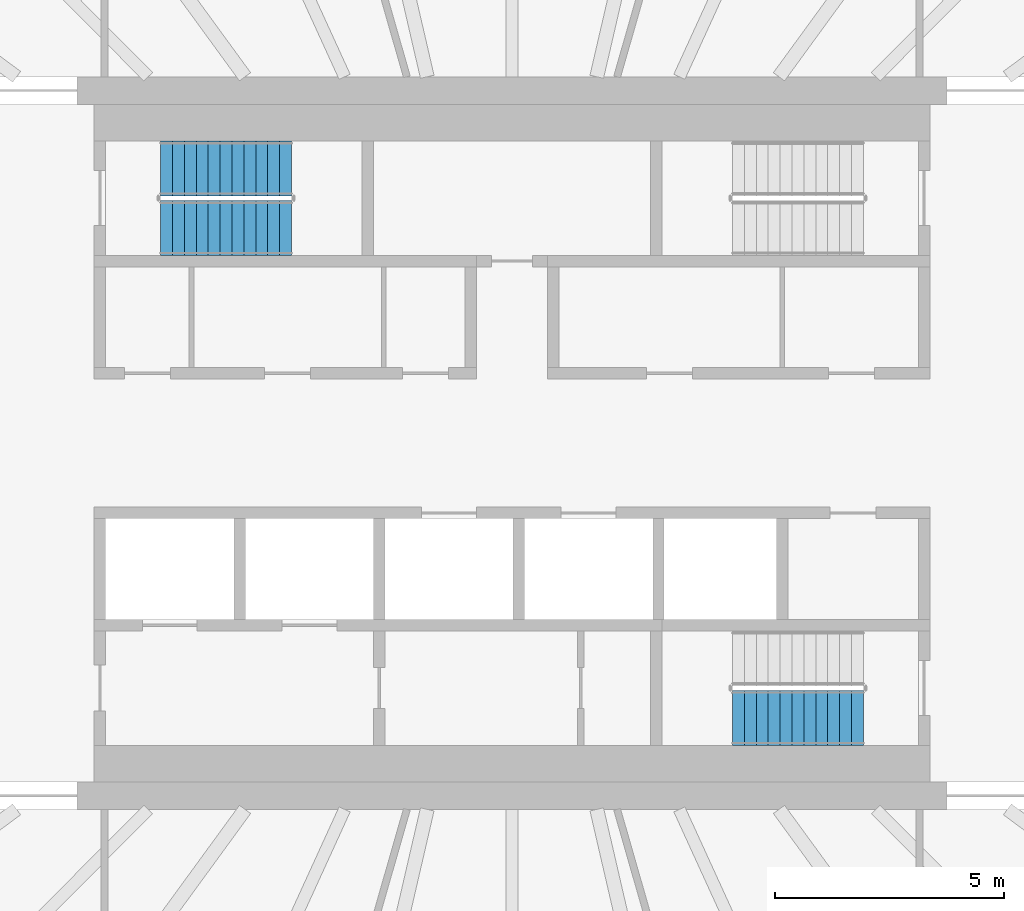
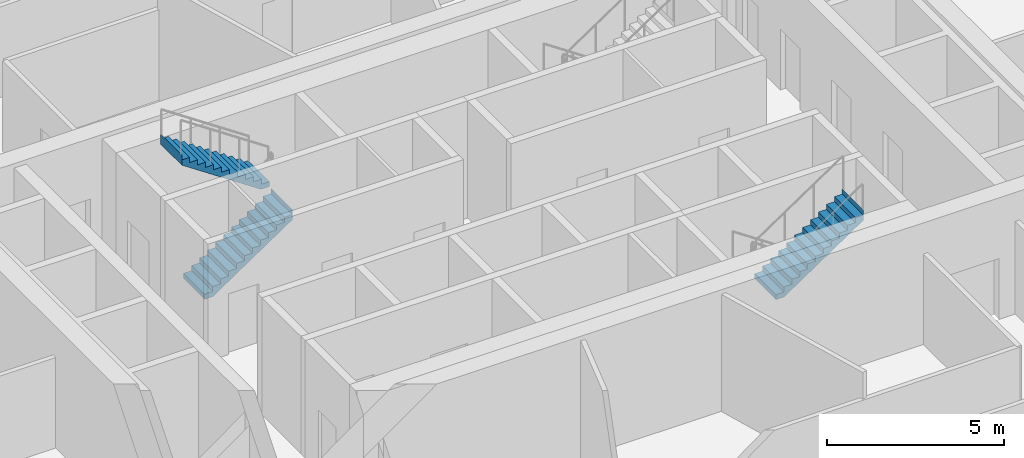
# One storey, part 17 of 24: 3 stair flights, 2 elements without a shape of their own.
"""IFC4 building model written with IfcOpenShell, lengths in metres."""

from ifc_helpers import new_model, si_unit, direction, frame, origin, place, context, subcontext, project, spatial, triangles, material, type_object, element, aggregate, save


model = new_model("IFC4")

# Units and contexts
model_context = context("Model", 3, precision=1e-05, world=origin(), true_north=direction((0.0, 1.0)))
body_context = subcontext(model_context, "Body", "Model", "MODEL_VIEW")
ifc_project = project(units=[si_unit("LENGTHUNIT", "METRE"), si_unit("AREAUNIT", "SQUARE_METRE"), si_unit("VOLUMEUNIT", "CUBIC_METRE"), si_unit("PLANEANGLEUNIT", "RADIAN"), si_unit("MASSUNIT", "GRAM", prefix="KILO")], contexts=[model_context])

# Site, building, storey
site_placement = place(None, origin())
site = spatial("IfcSite", under=ifc_project, at=site_placement, CompositionType="ELEMENT")
building_placement = place(site_placement, origin())
building = spatial("IfcBuilding", under=site, at=building_placement, Name="Sahrelin Media Tower", CompositionType="ELEMENT")
storey_placement = place(building_placement, frame((0.0, 0.0, 58.800048828125)))
storey = spatial("IfcBuildingStorey", under=building, at=storey_placement, Name="L09", CompositionType="ELEMENT", Elevation=58.800048828125)

# Stair, stair flights
ifc_material = material(Name="Concrete C40/50", Category="concrete")
stair_type = type_object("IfcStairType", Name="Exit stair 1200", PredefinedType="HALF_TURN_STAIR", material=ifc_material)
placement = place(storey_placement, origin())
stair_1 = element("IfcStair", 1, at=placement, inside=storey, type_object=stair_type, Name="L09 Exit stair ST1", PredefinedType="HALF_TURN_STAIR")
stair_flight_type = type_object("IfcStairFlightType", Name="Stair flight 1200", PredefinedType="STRAIGHT", material=ifc_material)
stair_flight_1_placement = place(storey_placement, frame((-7.675048828125, 4.699951171875, 0.0), z_axis=(0.0, 0.0, 1.0), x_axis=(1.0, 0.0, 0.0)))
stair_flight_1 = element("IfcStairFlight", 2, at=stair_flight_1_placement, type_object=stair_flight_type, Name="ST1 flight 1", NumberOfRisers=12, NumberOfTreads=11, PredefinedType="STRAIGHT", RiserHeight=0.175, TreadLength=0.26, context=body_context, shape_type="Tessellation", body=[
    triangles([(0.2685546875, 0.60009765625, 0.0), (0.2685546875, 0.300048828125, 0.0), (0.2685546875, 0.0, 0.0), (0.2685546875, -0.300048828125, 0.0), (0.2685546875, -0.60009765625, 0.0), (2.860107421875, 0.60009765625, 1.744384765625), (2.860107421875, 0.300048828125, 1.744384765625), (2.860107421875, 0.0, 1.744384765625), (2.860107421875, -0.300048828125, 1.744384765625), (2.860107421875, -0.60009765625, 1.744384765625), (2.860107421875, 0.60009765625, 2.10009765625), (2.860107421875, 0.300048828125, 2.10009765625), (2.860107421875, 0.0, 2.10009765625), (2.860107421875, -0.300048828125, 2.10009765625), (2.860107421875, -0.60009765625, 2.10009765625), (2.85791015625, 0.60009765625, 2.10009765625), (2.85791015625, 0.300048828125, 2.10009765625), (2.85791015625, 0.0, 2.10009765625), (2.85791015625, -0.300048828125, 2.10009765625), (2.85791015625, -0.60009765625, 2.10009765625), (2.85791015625, 0.60009765625, 1.925048828125), (2.85791015625, 0.300048828125, 1.925048828125), (2.85791015625, 0.0, 1.925048828125), (2.85791015625, -0.300048828125, 1.925048828125), (2.85791015625, -0.60009765625, 1.925048828125), (2.60009765625, 0.60009765625, 1.925048828125), (2.60009765625, 0.300048828125, 1.925048828125), (2.60009765625, 0.0, 1.925048828125), (2.60009765625, -0.300048828125, 1.925048828125), (2.60009765625, -0.60009765625, 1.925048828125), (2.60009765625, 0.60009765625, 1.75), (2.60009765625, 0.300048828125, 1.75), (2.60009765625, 0.0, 1.75), (2.60009765625, -0.300048828125, 1.75), (2.60009765625, -0.60009765625, 1.75), (2.340087890625, 0.60009765625, 1.75), (2.340087890625, 0.300048828125, 1.75), (2.340087890625, 0.0, 1.75), (2.340087890625, -0.300048828125, 1.75), (2.340087890625, -0.60009765625, 1.75), (2.340087890625, 0.60009765625, 1.574951171875), (2.340087890625, 0.300048828125, 1.574951171875), (2.340087890625, 0.0, 1.574951171875), (2.340087890625, -0.300048828125, 1.574951171875), (2.340087890625, -0.60009765625, 1.574951171875), (2.080078125, 0.60009765625, 1.574951171875), (2.080078125, 0.300048828125, 1.574951171875), (2.080078125, 0.0, 1.574951171875), (2.080078125, -0.300048828125, 1.574951171875), (2.080078125, -0.60009765625, 1.574951171875), (2.080078125, 0.60009765625, 1.39990234375), (2.080078125, 0.300048828125, 1.39990234375), (2.080078125, 0.0, 1.39990234375), (2.080078125, -0.300048828125, 1.39990234375), (2.080078125, -0.60009765625, 1.39990234375), (1.820068359375, 0.60009765625, 1.39990234375), (1.820068359375, 0.300048828125, 1.39990234375), (1.820068359375, 0.0, 1.39990234375), (1.820068359375, -0.300048828125, 1.39990234375), (1.820068359375, -0.60009765625, 1.39990234375), (1.820068359375, 0.60009765625, 1.22509765625), (1.820068359375, 0.300048828125, 1.22509765625), (1.820068359375, 0.0, 1.22509765625), (1.820068359375, -0.300048828125, 1.22509765625), (1.820068359375, -0.60009765625, 1.22509765625), (1.56005859375, 0.60009765625, 1.22509765625), (1.56005859375, 0.300048828125, 1.22509765625), (1.56005859375, 0.0, 1.22509765625), (1.56005859375, -0.300048828125, 1.22509765625), (1.56005859375, -0.60009765625, 1.22509765625), (1.56005859375, 0.60009765625, 1.050048828125), (1.56005859375, 0.300048828125, 1.050048828125), (1.56005859375, 0.0, 1.050048828125), (1.56005859375, -0.300048828125, 1.050048828125), (1.56005859375, -0.60009765625, 1.050048828125), (1.300048828125, 0.60009765625, 1.050048828125), (1.300048828125, 0.300048828125, 1.050048828125), (1.300048828125, 0.0, 1.050048828125), (1.300048828125, -0.300048828125, 1.050048828125), (1.300048828125, -0.60009765625, 1.050048828125), (1.300048828125, 0.60009765625, 0.875), (1.300048828125, 0.300048828125, 0.875), (1.300048828125, 0.0, 0.875), (1.300048828125, -0.300048828125, 0.875), (1.300048828125, -0.60009765625, 0.875), (1.0400390625, 0.60009765625, 0.875), (1.0400390625, 0.300048828125, 0.875), (1.0400390625, 0.0, 0.875), (1.0400390625, -0.300048828125, 0.875), (1.0400390625, -0.60009765625, 0.875), (1.0400390625, 0.60009765625, 0.699951171875), (1.0400390625, 0.300048828125, 0.699951171875), (1.0400390625, 0.0, 0.699951171875), (1.0400390625, -0.300048828125, 0.699951171875), (1.0400390625, -0.60009765625, 0.699951171875), (0.780029296875, 0.60009765625, 0.699951171875), (0.780029296875, 0.300048828125, 0.699951171875), (0.780029296875, 0.0, 0.699951171875), (0.780029296875, -0.300048828125, 0.699951171875), (0.780029296875, -0.60009765625, 0.699951171875), (0.780029296875, 0.60009765625, 0.52490234375), (0.780029296875, 0.300048828125, 0.52490234375), (0.780029296875, 0.0, 0.52490234375), (0.780029296875, -0.300048828125, 0.52490234375), (0.780029296875, -0.60009765625, 0.52490234375), (0.52001953125, 0.60009765625, 0.52490234375), (0.52001953125, 0.300048828125, 0.52490234375), (0.52001953125, 0.0, 0.52490234375), (0.52001953125, -0.300048828125, 0.52490234375), (0.52001953125, -0.60009765625, 0.52490234375), (0.52001953125, 0.60009765625, 0.35009765625), (0.52001953125, 0.300048828125, 0.35009765625), (0.52001953125, 0.0, 0.35009765625), (0.52001953125, -0.300048828125, 0.35009765625), (0.52001953125, -0.60009765625, 0.35009765625), (0.260009765625, 0.60009765625, 0.35009765625), (0.260009765625, 0.300048828125, 0.35009765625), (0.260009765625, 0.0, 0.35009765625), (0.260009765625, -0.300048828125, 0.35009765625), (0.260009765625, -0.60009765625, 0.35009765625), (0.260009765625, 0.60009765625, 0.175048828125), (0.260009765625, 0.300048828125, 0.175048828125), (0.260009765625, 0.0, 0.175048828125), (0.260009765625, -0.300048828125, 0.175048828125), (0.260009765625, -0.60009765625, 0.175048828125), (0.0, 0.60009765625, 0.175048828125), (0.0, 0.300048828125, 0.175048828125), (0.0, 0.0, 0.175048828125), (0.0, -0.300048828125, 0.175048828125), (0.0, -0.60009765625, 0.175048828125), (0.0, 0.60009765625, 0.0), (0.0, 0.300048828125, 0.0), (0.0, 0.0, 0.0), (0.0, -0.300048828125, 0.0), (0.0, -0.60009765625, 0.0)], [[1, 6, 7], [1, 7, 2], [2, 7, 8], [2, 8, 3], [3, 8, 9], [3, 9, 4], [4, 9, 10], [4, 10, 5], [6, 11, 12], [6, 12, 7], [7, 12, 13], [7, 13, 8], [8, 13, 14], [8, 14, 9], [9, 14, 15], [9, 15, 10], [11, 16, 17], [11, 17, 12], [12, 17, 18], [12, 18, 13], [13, 18, 19], [13, 19, 14], [14, 19, 20], [14, 20, 15], [16, 21, 22], [16, 22, 17], [17, 22, 23], [17, 23, 18], [18, 23, 24], [18, 24, 19], [19, 24, 25], [19, 25, 20], [21, 26, 27], [21, 27, 22], [22, 27, 28], [22, 28, 23], [23, 28, 29], [23, 29, 24], [24, 29, 30], [24, 30, 25], [26, 31, 32], [26, 32, 27], [27, 32, 33], [27, 33, 28], [28, 33, 34], [28, 34, 29], [29, 34, 35], [29, 35, 30], [31, 36, 37], [31, 37, 32], [32, 37, 38], [32, 38, 33], [33, 38, 39], [33, 39, 34], [34, 39, 40], [34, 40, 35], [36, 41, 42], [36, 42, 37], [37, 42, 43], [37, 43, 38], [38, 43, 44], [38, 44, 39], [39, 44, 45], [39, 45, 40], [41, 46, 47], [41, 47, 42], [42, 47, 48], [42, 48, 43], [43, 48, 49], [43, 49, 44], [44, 49, 50], [44, 50, 45], [46, 51, 52], [46, 52, 47], [47, 52, 53], [47, 53, 48], [48, 53, 54], [48, 54, 49], [49, 54, 55], [49, 55, 50], [51, 56, 57], [51, 57, 52], [52, 57, 58], [52, 58, 53], [53, 58, 59], [53, 59, 54], [54, 59, 60], [54, 60, 55], [56, 61, 62], [56, 62, 57], [57, 62, 63], [57, 63, 58], [58, 63, 64], [58, 64, 59], [59, 64, 65], [59, 65, 60], [61, 66, 67], [61, 67, 62], [62, 67, 68], [62, 68, 63], [63, 68, 69], [63, 69, 64], [64, 69, 70], [64, 70, 65], [66, 71, 72], [66, 72, 67], [67, 72, 73], [67, 73, 68], [68, 73, 74], [68, 74, 69], [69, 74, 75], [69, 75, 70], [71, 76, 77], [71, 77, 72], [72, 77, 78], [72, 78, 73], [73, 78, 79], [73, 79, 74], [74, 79, 80], [74, 80, 75], [76, 81, 82], [76, 82, 77], [77, 82, 83], [77, 83, 78], [78, 83, 84], [78, 84, 79], [79, 84, 85], [79, 85, 80], [81, 86, 87], [81, 87, 82], [82, 87, 88], [82, 88, 83], [83, 88, 89], [83, 89, 84], [84, 89, 90], [84, 90, 85], [86, 91, 92], [86, 92, 87], [87, 92, 93], [87, 93, 88], [88, 93, 94], [88, 94, 89], [89, 94, 95], [89, 95, 90], [91, 96, 97], [91, 97, 92], [92, 97, 98], [92, 98, 93], [93, 98, 99], [93, 99, 94], [94, 99, 100], [94, 100, 95], [96, 101, 102], [96, 102, 97], [97, 102, 103], [97, 103, 98], [98, 103, 104], [98, 104, 99], [99, 104, 105], [99, 105, 100], [101, 106, 107], [101, 107, 102], [102, 107, 108], [102, 108, 103], [103, 108, 109], [103, 109, 104], [104, 109, 110], [104, 110, 105], [106, 111, 112], [106, 112, 107], [107, 112, 113], [107, 113, 108], [108, 113, 114], [108, 114, 109], [109, 114, 115], [109, 115, 110], [111, 116, 117], [111, 117, 112], [112, 117, 118], [112, 118, 113], [113, 118, 119], [113, 119, 114], [114, 119, 120], [114, 120, 115], [116, 121, 122], [116, 122, 117], [117, 122, 123], [117, 123, 118], [118, 123, 124], [118, 124, 119], [119, 124, 125], [119, 125, 120], [121, 126, 127], [121, 127, 122], [122, 127, 128], [122, 128, 123], [123, 128, 129], [123, 129, 124], [124, 129, 130], [124, 130, 125], [126, 131, 132], [126, 132, 127], [127, 132, 133], [127, 133, 128], [128, 133, 134], [128, 134, 129], [129, 134, 135], [129, 135, 130], [131, 1, 2], [131, 2, 132], [132, 2, 3], [132, 3, 133], [133, 3, 4], [133, 4, 134], [134, 4, 5], [134, 5, 135], [125, 130, 135], [121, 131, 126], [125, 115, 120], [121, 116, 111], [115, 105, 110], [111, 106, 101], [105, 95, 100], [101, 96, 91], [95, 85, 90], [91, 86, 81], [85, 75, 80], [81, 76, 71], [75, 65, 70], [71, 66, 61], [65, 55, 60], [61, 56, 51], [55, 45, 50], [51, 46, 41], [45, 35, 40], [41, 36, 31], [35, 25, 30], [31, 26, 21], [25, 15, 20], [21, 16, 11], [135, 5, 125], [131, 121, 1], [95, 105, 5], [91, 1, 101], [5, 10, 75], [1, 71, 6], [10, 35, 45], [6, 41, 31], [25, 10, 15], [21, 11, 6], [115, 125, 5], [111, 1, 121], [75, 85, 5], [71, 1, 81], [35, 10, 25], [31, 21, 6], [105, 115, 5], [101, 1, 111], [45, 55, 10], [41, 6, 51], [85, 95, 5], [81, 1, 91], [65, 10, 55], [61, 51, 6], [10, 65, 75], [6, 71, 61]], closed=True),
])
stair_flight_2_placement = place(storey_placement, frame((-4.81494140625, 6.0, 2.099853515625), z_axis=(0.0, 0.0, 1.0), x_axis=(-1.0, 0.0, 0.0)))
stair_flight_2 = element("IfcStairFlight", 3, at=stair_flight_2_placement, type_object=stair_flight_type, Name="ST1 flight 2", NumberOfRisers=12, NumberOfTreads=11, PredefinedType="STRAIGHT", RiserHeight=0.175, TreadLength=0.26, context=body_context, shape_type="Tessellation", body=[
    triangles([(0.2685546875, 0.60009765625, 0.0), (0.2685546875, 0.300048828125, 0.0), (0.2685546875, 0.0, 0.0), (0.2685546875, -0.300048828125, 0.0), (0.2685546875, -0.60009765625, 0.0), (2.860107421875, 0.60009765625, 1.744384765625), (2.860107421875, 0.300048828125, 1.744384765625), (2.860107421875, 0.0, 1.744384765625), (2.860107421875, -0.300048828125, 1.744384765625), (2.860107421875, -0.60009765625, 1.744384765625), (2.860107421875, 0.60009765625, 2.10009765625), (2.860107421875, 0.300048828125, 2.10009765625), (2.860107421875, 0.0, 2.10009765625), (2.860107421875, -0.300048828125, 2.10009765625), (2.860107421875, -0.60009765625, 2.10009765625), (2.85791015625, 0.60009765625, 2.10009765625), (2.85791015625, 0.300048828125, 2.10009765625), (2.85791015625, 0.0, 2.10009765625), (2.85791015625, -0.300048828125, 2.10009765625), (2.85791015625, -0.60009765625, 2.10009765625), (2.85791015625, 0.60009765625, 1.925048828125), (2.85791015625, 0.300048828125, 1.925048828125), (2.85791015625, 0.0, 1.925048828125), (2.85791015625, -0.300048828125, 1.925048828125), (2.85791015625, -0.60009765625, 1.925048828125), (2.60009765625, 0.60009765625, 1.925048828125), (2.60009765625, 0.300048828125, 1.925048828125), (2.60009765625, 0.0, 1.925048828125), (2.60009765625, -0.300048828125, 1.925048828125), (2.60009765625, -0.60009765625, 1.925048828125), (2.60009765625, 0.60009765625, 1.75), (2.60009765625, 0.300048828125, 1.75), (2.60009765625, 0.0, 1.75), (2.60009765625, -0.300048828125, 1.75), (2.60009765625, -0.60009765625, 1.75), (2.340087890625, 0.60009765625, 1.75), (2.340087890625, 0.300048828125, 1.75), (2.340087890625, 0.0, 1.75), (2.340087890625, -0.300048828125, 1.75), (2.340087890625, -0.60009765625, 1.75), (2.340087890625, 0.60009765625, 1.574951171875), (2.340087890625, 0.300048828125, 1.574951171875), (2.340087890625, 0.0, 1.574951171875), (2.340087890625, -0.300048828125, 1.574951171875), (2.340087890625, -0.60009765625, 1.574951171875), (2.080078125, 0.60009765625, 1.574951171875), (2.080078125, 0.300048828125, 1.574951171875), (2.080078125, 0.0, 1.574951171875), (2.080078125, -0.300048828125, 1.574951171875), (2.080078125, -0.60009765625, 1.574951171875), (2.080078125, 0.60009765625, 1.39990234375), (2.080078125, 0.300048828125, 1.39990234375), (2.080078125, 0.0, 1.39990234375), (2.080078125, -0.300048828125, 1.39990234375), (2.080078125, -0.60009765625, 1.39990234375), (1.820068359375, 0.60009765625, 1.39990234375), (1.820068359375, 0.300048828125, 1.39990234375), (1.820068359375, 0.0, 1.39990234375), (1.820068359375, -0.300048828125, 1.39990234375), (1.820068359375, -0.60009765625, 1.39990234375), (1.820068359375, 0.60009765625, 1.22509765625), (1.820068359375, 0.300048828125, 1.22509765625), (1.820068359375, 0.0, 1.22509765625), (1.820068359375, -0.300048828125, 1.22509765625), (1.820068359375, -0.60009765625, 1.22509765625), (1.56005859375, 0.60009765625, 1.22509765625), (1.56005859375, 0.300048828125, 1.22509765625), (1.56005859375, 0.0, 1.22509765625), (1.56005859375, -0.300048828125, 1.22509765625), (1.56005859375, -0.60009765625, 1.22509765625), (1.56005859375, 0.60009765625, 1.050048828125), (1.56005859375, 0.300048828125, 1.050048828125), (1.56005859375, 0.0, 1.050048828125), (1.56005859375, -0.300048828125, 1.050048828125), (1.56005859375, -0.60009765625, 1.050048828125), (1.300048828125, 0.60009765625, 1.050048828125), (1.300048828125, 0.300048828125, 1.050048828125), (1.300048828125, 0.0, 1.050048828125), (1.300048828125, -0.300048828125, 1.050048828125), (1.300048828125, -0.60009765625, 1.050048828125), (1.300048828125, 0.60009765625, 0.875), (1.300048828125, 0.300048828125, 0.875), (1.300048828125, 0.0, 0.875), (1.300048828125, -0.300048828125, 0.875), (1.300048828125, -0.60009765625, 0.875), (1.0400390625, 0.60009765625, 0.875), (1.0400390625, 0.300048828125, 0.875), (1.0400390625, 0.0, 0.875), (1.0400390625, -0.300048828125, 0.875), (1.0400390625, -0.60009765625, 0.875), (1.0400390625, 0.60009765625, 0.699951171875), (1.0400390625, 0.300048828125, 0.699951171875), (1.0400390625, 0.0, 0.699951171875), (1.0400390625, -0.300048828125, 0.699951171875), (1.0400390625, -0.60009765625, 0.699951171875), (0.780029296875, 0.60009765625, 0.699951171875), (0.780029296875, 0.300048828125, 0.699951171875), (0.780029296875, 0.0, 0.699951171875), (0.780029296875, -0.300048828125, 0.699951171875), (0.780029296875, -0.60009765625, 0.699951171875), (0.780029296875, 0.60009765625, 0.52490234375), (0.780029296875, 0.300048828125, 0.52490234375), (0.780029296875, 0.0, 0.52490234375), (0.780029296875, -0.300048828125, 0.52490234375), (0.780029296875, -0.60009765625, 0.52490234375), (0.52001953125, 0.60009765625, 0.52490234375), (0.52001953125, 0.300048828125, 0.52490234375), (0.52001953125, 0.0, 0.52490234375), (0.52001953125, -0.300048828125, 0.52490234375), (0.52001953125, -0.60009765625, 0.52490234375), (0.52001953125, 0.60009765625, 0.35009765625), (0.52001953125, 0.300048828125, 0.35009765625), (0.52001953125, 0.0, 0.35009765625), (0.52001953125, -0.300048828125, 0.35009765625), (0.52001953125, -0.60009765625, 0.35009765625), (0.260009765625, 0.60009765625, 0.35009765625), (0.260009765625, 0.300048828125, 0.35009765625), (0.260009765625, 0.0, 0.35009765625), (0.260009765625, -0.300048828125, 0.35009765625), (0.260009765625, -0.60009765625, 0.35009765625), (0.260009765625, 0.60009765625, 0.175048828125), (0.260009765625, 0.300048828125, 0.175048828125), (0.260009765625, 0.0, 0.175048828125), (0.260009765625, -0.300048828125, 0.175048828125), (0.260009765625, -0.60009765625, 0.175048828125), (0.0, 0.60009765625, 0.175048828125), (0.0, 0.300048828125, 0.175048828125), (0.0, 0.0, 0.175048828125), (0.0, -0.300048828125, 0.175048828125), (0.0, -0.60009765625, 0.175048828125), (0.0, 0.60009765625, 0.0), (0.0, 0.300048828125, 0.0), (0.0, 0.0, 0.0), (0.0, -0.300048828125, 0.0), (0.0, -0.60009765625, 0.0)], [[1, 6, 7], [1, 7, 2], [2, 7, 8], [2, 8, 3], [3, 8, 9], [3, 9, 4], [4, 9, 10], [4, 10, 5], [6, 11, 12], [6, 12, 7], [7, 12, 13], [7, 13, 8], [8, 13, 14], [8, 14, 9], [9, 14, 15], [9, 15, 10], [11, 16, 17], [11, 17, 12], [12, 17, 18], [12, 18, 13], [13, 18, 19], [13, 19, 14], [14, 19, 20], [14, 20, 15], [16, 21, 22], [16, 22, 17], [17, 22, 23], [17, 23, 18], [18, 23, 24], [18, 24, 19], [19, 24, 25], [19, 25, 20], [21, 26, 27], [21, 27, 22], [22, 27, 28], [22, 28, 23], [23, 28, 29], [23, 29, 24], [24, 29, 30], [24, 30, 25], [26, 31, 32], [26, 32, 27], [27, 32, 33], [27, 33, 28], [28, 33, 34], [28, 34, 29], [29, 34, 35], [29, 35, 30], [31, 36, 37], [31, 37, 32], [32, 37, 38], [32, 38, 33], [33, 38, 39], [33, 39, 34], [34, 39, 40], [34, 40, 35], [36, 41, 42], [36, 42, 37], [37, 42, 43], [37, 43, 38], [38, 43, 44], [38, 44, 39], [39, 44, 45], [39, 45, 40], [41, 46, 47], [41, 47, 42], [42, 47, 48], [42, 48, 43], [43, 48, 49], [43, 49, 44], [44, 49, 50], [44, 50, 45], [46, 51, 52], [46, 52, 47], [47, 52, 53], [47, 53, 48], [48, 53, 54], [48, 54, 49], [49, 54, 55], [49, 55, 50], [51, 56, 57], [51, 57, 52], [52, 57, 58], [52, 58, 53], [53, 58, 59], [53, 59, 54], [54, 59, 60], [54, 60, 55], [56, 61, 62], [56, 62, 57], [57, 62, 63], [57, 63, 58], [58, 63, 64], [58, 64, 59], [59, 64, 65], [59, 65, 60], [61, 66, 67], [61, 67, 62], [62, 67, 68], [62, 68, 63], [63, 68, 69], [63, 69, 64], [64, 69, 70], [64, 70, 65], [66, 71, 72], [66, 72, 67], [67, 72, 73], [67, 73, 68], [68, 73, 74], [68, 74, 69], [69, 74, 75], [69, 75, 70], [71, 76, 77], [71, 77, 72], [72, 77, 78], [72, 78, 73], [73, 78, 79], [73, 79, 74], [74, 79, 80], [74, 80, 75], [76, 81, 82], [76, 82, 77], [77, 82, 83], [77, 83, 78], [78, 83, 84], [78, 84, 79], [79, 84, 85], [79, 85, 80], [81, 86, 87], [81, 87, 82], [82, 87, 88], [82, 88, 83], [83, 88, 89], [83, 89, 84], [84, 89, 90], [84, 90, 85], [86, 91, 92], [86, 92, 87], [87, 92, 93], [87, 93, 88], [88, 93, 94], [88, 94, 89], [89, 94, 95], [89, 95, 90], [91, 96, 97], [91, 97, 92], [92, 97, 98], [92, 98, 93], [93, 98, 99], [93, 99, 94], [94, 99, 100], [94, 100, 95], [96, 101, 102], [96, 102, 97], [97, 102, 103], [97, 103, 98], [98, 103, 104], [98, 104, 99], [99, 104, 105], [99, 105, 100], [101, 106, 107], [101, 107, 102], [102, 107, 108], [102, 108, 103], [103, 108, 109], [103, 109, 104], [104, 109, 110], [104, 110, 105], [106, 111, 112], [106, 112, 107], [107, 112, 113], [107, 113, 108], [108, 113, 114], [108, 114, 109], [109, 114, 115], [109, 115, 110], [111, 116, 117], [111, 117, 112], [112, 117, 118], [112, 118, 113], [113, 118, 119], [113, 119, 114], [114, 119, 120], [114, 120, 115], [116, 121, 122], [116, 122, 117], [117, 122, 123], [117, 123, 118], [118, 123, 124], [118, 124, 119], [119, 124, 125], [119, 125, 120], [121, 126, 127], [121, 127, 122], [122, 127, 128], [122, 128, 123], [123, 128, 129], [123, 129, 124], [124, 129, 130], [124, 130, 125], [126, 131, 132], [126, 132, 127], [127, 132, 133], [127, 133, 128], [128, 133, 134], [128, 134, 129], [129, 134, 135], [129, 135, 130], [131, 1, 2], [131, 2, 132], [132, 2, 3], [132, 3, 133], [133, 3, 4], [133, 4, 134], [134, 4, 5], [134, 5, 135], [125, 130, 135], [121, 131, 126], [125, 115, 120], [121, 116, 111], [115, 105, 110], [111, 106, 101], [105, 95, 100], [101, 96, 91], [95, 85, 90], [91, 86, 81], [85, 75, 80], [81, 76, 71], [75, 65, 70], [71, 66, 61], [65, 55, 60], [61, 56, 51], [55, 45, 50], [51, 46, 41], [45, 35, 40], [41, 36, 31], [35, 25, 30], [31, 26, 21], [25, 15, 20], [21, 16, 11], [135, 5, 125], [131, 121, 1], [95, 105, 5], [91, 1, 101], [5, 10, 75], [1, 71, 6], [10, 35, 45], [6, 41, 31], [25, 10, 15], [21, 11, 6], [115, 125, 5], [111, 1, 121], [75, 85, 5], [71, 1, 81], [35, 10, 25], [31, 21, 6], [105, 115, 5], [101, 1, 111], [45, 55, 10], [41, 6, 51], [85, 95, 5], [81, 1, 91], [65, 10, 55], [61, 51, 6], [10, 65, 75], [6, 71, 61]], closed=True),
])
aggregate(stair_1, [stair_flight_1, stair_flight_2])

# Stair, stair flight
stair_2 = element("IfcStair", 4, at=placement, inside=storey, type_object=stair_type, Name="L09 Exit stair ST2", PredefinedType="HALF_TURN_STAIR")
stair_flight_3_placement = place(storey_placement, frame((4.81494140625, -6.0, 2.099853515625), z_axis=(0.0, 0.0, 1.0), x_axis=(1.0, 0.0, 0.0)))
stair_flight_3 = element("IfcStairFlight", 5, at=stair_flight_3_placement, type_object=stair_flight_type, Name="ST2 flight 2", NumberOfRisers=12, NumberOfTreads=11, PredefinedType="STRAIGHT", RiserHeight=0.175, TreadLength=0.26, context=body_context, shape_type="Tessellation", body=[
    triangles([(0.2685546875, 0.60009765625, 0.0), (0.2685546875, 0.300048828125, 0.0), (0.2685546875, 0.0, 0.0), (0.2685546875, -0.300048828125, 0.0), (0.2685546875, -0.60009765625, 0.0), (2.860107421875, 0.60009765625, 1.744384765625), (2.860107421875, 0.300048828125, 1.744384765625), (2.860107421875, 0.0, 1.744384765625), (2.860107421875, -0.300048828125, 1.744384765625), (2.860107421875, -0.60009765625, 1.744384765625), (2.860107421875, 0.60009765625, 2.10009765625), (2.860107421875, 0.300048828125, 2.10009765625), (2.860107421875, 0.0, 2.10009765625), (2.860107421875, -0.300048828125, 2.10009765625), (2.860107421875, -0.60009765625, 2.10009765625), (2.85791015625, 0.60009765625, 2.10009765625), (2.85791015625, 0.300048828125, 2.10009765625), (2.85791015625, 0.0, 2.10009765625), (2.85791015625, -0.300048828125, 2.10009765625), (2.85791015625, -0.60009765625, 2.10009765625), (2.85791015625, 0.60009765625, 1.925048828125), (2.85791015625, 0.300048828125, 1.925048828125), (2.85791015625, 0.0, 1.925048828125), (2.85791015625, -0.300048828125, 1.925048828125), (2.85791015625, -0.60009765625, 1.925048828125), (2.60009765625, 0.60009765625, 1.925048828125), (2.60009765625, 0.300048828125, 1.925048828125), (2.60009765625, 0.0, 1.925048828125), (2.60009765625, -0.300048828125, 1.925048828125), (2.60009765625, -0.60009765625, 1.925048828125), (2.60009765625, 0.60009765625, 1.75), (2.60009765625, 0.300048828125, 1.75), (2.60009765625, 0.0, 1.75), (2.60009765625, -0.300048828125, 1.75), (2.60009765625, -0.60009765625, 1.75), (2.340087890625, 0.60009765625, 1.75), (2.340087890625, 0.300048828125, 1.75), (2.340087890625, 0.0, 1.75), (2.340087890625, -0.300048828125, 1.75), (2.340087890625, -0.60009765625, 1.75), (2.340087890625, 0.60009765625, 1.574951171875), (2.340087890625, 0.300048828125, 1.574951171875), (2.340087890625, 0.0, 1.574951171875), (2.340087890625, -0.300048828125, 1.574951171875), (2.340087890625, -0.60009765625, 1.574951171875), (2.080078125, 0.60009765625, 1.574951171875), (2.080078125, 0.300048828125, 1.574951171875), (2.080078125, 0.0, 1.574951171875), (2.080078125, -0.300048828125, 1.574951171875), (2.080078125, -0.60009765625, 1.574951171875), (2.080078125, 0.60009765625, 1.39990234375), (2.080078125, 0.300048828125, 1.39990234375), (2.080078125, 0.0, 1.39990234375), (2.080078125, -0.300048828125, 1.39990234375), (2.080078125, -0.60009765625, 1.39990234375), (1.820068359375, 0.60009765625, 1.39990234375), (1.820068359375, 0.300048828125, 1.39990234375), (1.820068359375, 0.0, 1.39990234375), (1.820068359375, -0.300048828125, 1.39990234375), (1.820068359375, -0.60009765625, 1.39990234375), (1.820068359375, 0.60009765625, 1.22509765625), (1.820068359375, 0.300048828125, 1.22509765625), (1.820068359375, 0.0, 1.22509765625), (1.820068359375, -0.300048828125, 1.22509765625), (1.820068359375, -0.60009765625, 1.22509765625), (1.56005859375, 0.60009765625, 1.22509765625), (1.56005859375, 0.300048828125, 1.22509765625), (1.56005859375, 0.0, 1.22509765625), (1.56005859375, -0.300048828125, 1.22509765625), (1.56005859375, -0.60009765625, 1.22509765625), (1.56005859375, 0.60009765625, 1.050048828125), (1.56005859375, 0.300048828125, 1.050048828125), (1.56005859375, 0.0, 1.050048828125), (1.56005859375, -0.300048828125, 1.050048828125), (1.56005859375, -0.60009765625, 1.050048828125), (1.300048828125, 0.60009765625, 1.050048828125), (1.300048828125, 0.300048828125, 1.050048828125), (1.300048828125, 0.0, 1.050048828125), (1.300048828125, -0.300048828125, 1.050048828125), (1.300048828125, -0.60009765625, 1.050048828125), (1.300048828125, 0.60009765625, 0.875), (1.300048828125, 0.300048828125, 0.875), (1.300048828125, 0.0, 0.875), (1.300048828125, -0.300048828125, 0.875), (1.300048828125, -0.60009765625, 0.875), (1.0400390625, 0.60009765625, 0.875), (1.0400390625, 0.300048828125, 0.875), (1.0400390625, 0.0, 0.875), (1.0400390625, -0.300048828125, 0.875), (1.0400390625, -0.60009765625, 0.875), (1.0400390625, 0.60009765625, 0.699951171875), (1.0400390625, 0.300048828125, 0.699951171875), (1.0400390625, 0.0, 0.699951171875), (1.0400390625, -0.300048828125, 0.699951171875), (1.0400390625, -0.60009765625, 0.699951171875), (0.780029296875, 0.60009765625, 0.699951171875), (0.780029296875, 0.300048828125, 0.699951171875), (0.780029296875, 0.0, 0.699951171875), (0.780029296875, -0.300048828125, 0.699951171875), (0.780029296875, -0.60009765625, 0.699951171875), (0.780029296875, 0.60009765625, 0.52490234375), (0.780029296875, 0.300048828125, 0.52490234375), (0.780029296875, 0.0, 0.52490234375), (0.780029296875, -0.300048828125, 0.52490234375), (0.780029296875, -0.60009765625, 0.52490234375), (0.52001953125, 0.60009765625, 0.52490234375), (0.52001953125, 0.300048828125, 0.52490234375), (0.52001953125, 0.0, 0.52490234375), (0.52001953125, -0.300048828125, 0.52490234375), (0.52001953125, -0.60009765625, 0.52490234375), (0.52001953125, 0.60009765625, 0.35009765625), (0.52001953125, 0.300048828125, 0.35009765625), (0.52001953125, 0.0, 0.35009765625), (0.52001953125, -0.300048828125, 0.35009765625), (0.52001953125, -0.60009765625, 0.35009765625), (0.260009765625, 0.60009765625, 0.35009765625), (0.260009765625, 0.300048828125, 0.35009765625), (0.260009765625, 0.0, 0.35009765625), (0.260009765625, -0.300048828125, 0.35009765625), (0.260009765625, -0.60009765625, 0.35009765625), (0.260009765625, 0.60009765625, 0.175048828125), (0.260009765625, 0.300048828125, 0.175048828125), (0.260009765625, 0.0, 0.175048828125), (0.260009765625, -0.300048828125, 0.175048828125), (0.260009765625, -0.60009765625, 0.175048828125), (0.0, 0.60009765625, 0.175048828125), (0.0, 0.300048828125, 0.175048828125), (0.0, 0.0, 0.175048828125), (0.0, -0.300048828125, 0.175048828125), (0.0, -0.60009765625, 0.175048828125), (0.0, 0.60009765625, 0.0), (0.0, 0.300048828125, 0.0), (0.0, 0.0, 0.0), (0.0, -0.300048828125, 0.0), (0.0, -0.60009765625, 0.0)], [[1, 6, 7], [1, 7, 2], [2, 7, 8], [2, 8, 3], [3, 8, 9], [3, 9, 4], [4, 9, 10], [4, 10, 5], [6, 11, 12], [6, 12, 7], [7, 12, 13], [7, 13, 8], [8, 13, 14], [8, 14, 9], [9, 14, 15], [9, 15, 10], [11, 16, 17], [11, 17, 12], [12, 17, 18], [12, 18, 13], [13, 18, 19], [13, 19, 14], [14, 19, 20], [14, 20, 15], [16, 21, 22], [16, 22, 17], [17, 22, 23], [17, 23, 18], [18, 23, 24], [18, 24, 19], [19, 24, 25], [19, 25, 20], [21, 26, 27], [21, 27, 22], [22, 27, 28], [22, 28, 23], [23, 28, 29], [23, 29, 24], [24, 29, 30], [24, 30, 25], [26, 31, 32], [26, 32, 27], [27, 32, 33], [27, 33, 28], [28, 33, 34], [28, 34, 29], [29, 34, 35], [29, 35, 30], [31, 36, 37], [31, 37, 32], [32, 37, 38], [32, 38, 33], [33, 38, 39], [33, 39, 34], [34, 39, 40], [34, 40, 35], [36, 41, 42], [36, 42, 37], [37, 42, 43], [37, 43, 38], [38, 43, 44], [38, 44, 39], [39, 44, 45], [39, 45, 40], [41, 46, 47], [41, 47, 42], [42, 47, 48], [42, 48, 43], [43, 48, 49], [43, 49, 44], [44, 49, 50], [44, 50, 45], [46, 51, 52], [46, 52, 47], [47, 52, 53], [47, 53, 48], [48, 53, 54], [48, 54, 49], [49, 54, 55], [49, 55, 50], [51, 56, 57], [51, 57, 52], [52, 57, 58], [52, 58, 53], [53, 58, 59], [53, 59, 54], [54, 59, 60], [54, 60, 55], [56, 61, 62], [56, 62, 57], [57, 62, 63], [57, 63, 58], [58, 63, 64], [58, 64, 59], [59, 64, 65], [59, 65, 60], [61, 66, 67], [61, 67, 62], [62, 67, 68], [62, 68, 63], [63, 68, 69], [63, 69, 64], [64, 69, 70], [64, 70, 65], [66, 71, 72], [66, 72, 67], [67, 72, 73], [67, 73, 68], [68, 73, 74], [68, 74, 69], [69, 74, 75], [69, 75, 70], [71, 76, 77], [71, 77, 72], [72, 77, 78], [72, 78, 73], [73, 78, 79], [73, 79, 74], [74, 79, 80], [74, 80, 75], [76, 81, 82], [76, 82, 77], [77, 82, 83], [77, 83, 78], [78, 83, 84], [78, 84, 79], [79, 84, 85], [79, 85, 80], [81, 86, 87], [81, 87, 82], [82, 87, 88], [82, 88, 83], [83, 88, 89], [83, 89, 84], [84, 89, 90], [84, 90, 85], [86, 91, 92], [86, 92, 87], [87, 92, 93], [87, 93, 88], [88, 93, 94], [88, 94, 89], [89, 94, 95], [89, 95, 90], [91, 96, 97], [91, 97, 92], [92, 97, 98], [92, 98, 93], [93, 98, 99], [93, 99, 94], [94, 99, 100], [94, 100, 95], [96, 101, 102], [96, 102, 97], [97, 102, 103], [97, 103, 98], [98, 103, 104], [98, 104, 99], [99, 104, 105], [99, 105, 100], [101, 106, 107], [101, 107, 102], [102, 107, 108], [102, 108, 103], [103, 108, 109], [103, 109, 104], [104, 109, 110], [104, 110, 105], [106, 111, 112], [106, 112, 107], [107, 112, 113], [107, 113, 108], [108, 113, 114], [108, 114, 109], [109, 114, 115], [109, 115, 110], [111, 116, 117], [111, 117, 112], [112, 117, 118], [112, 118, 113], [113, 118, 119], [113, 119, 114], [114, 119, 120], [114, 120, 115], [116, 121, 122], [116, 122, 117], [117, 122, 123], [117, 123, 118], [118, 123, 124], [118, 124, 119], [119, 124, 125], [119, 125, 120], [121, 126, 127], [121, 127, 122], [122, 127, 128], [122, 128, 123], [123, 128, 129], [123, 129, 124], [124, 129, 130], [124, 130, 125], [126, 131, 132], [126, 132, 127], [127, 132, 133], [127, 133, 128], [128, 133, 134], [128, 134, 129], [129, 134, 135], [129, 135, 130], [131, 1, 2], [131, 2, 132], [132, 2, 3], [132, 3, 133], [133, 3, 4], [133, 4, 134], [134, 4, 5], [134, 5, 135], [125, 130, 135], [121, 131, 126], [125, 115, 120], [121, 116, 111], [115, 105, 110], [111, 106, 101], [105, 95, 100], [101, 96, 91], [95, 85, 90], [91, 86, 81], [85, 75, 80], [81, 76, 71], [75, 65, 70], [71, 66, 61], [65, 55, 60], [61, 56, 51], [55, 45, 50], [51, 46, 41], [45, 35, 40], [41, 36, 31], [35, 25, 30], [31, 26, 21], [25, 15, 20], [21, 16, 11], [135, 5, 125], [131, 121, 1], [95, 105, 5], [91, 1, 101], [5, 10, 75], [1, 71, 6], [10, 35, 45], [6, 41, 31], [25, 10, 15], [21, 11, 6], [115, 125, 5], [111, 1, 121], [75, 85, 5], [71, 1, 81], [35, 10, 25], [31, 21, 6], [105, 115, 5], [101, 1, 111], [45, 55, 10], [41, 6, 51], [85, 95, 5], [81, 1, 91], [65, 10, 55], [61, 51, 6], [10, 65, 75], [6, 71, 61]], closed=True),
])
aggregate(stair_2, [stair_flight_3])

save(model, "model.ifc")
